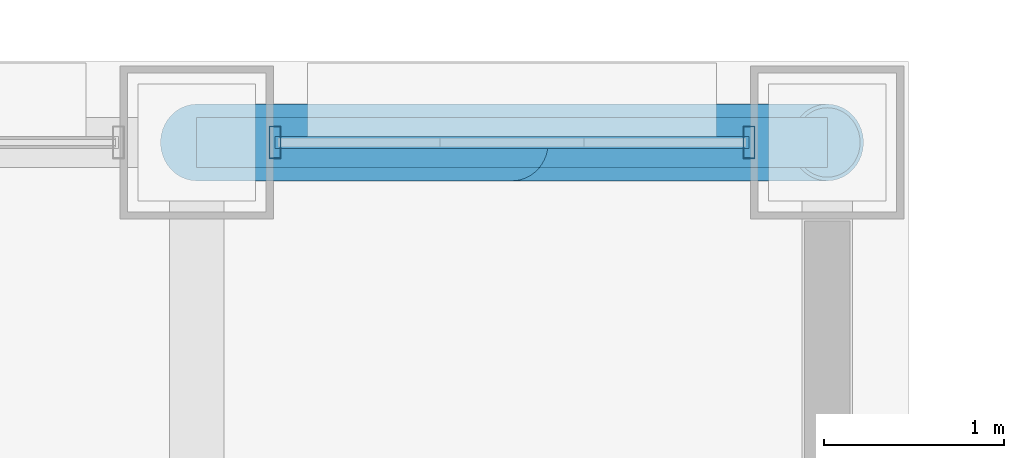
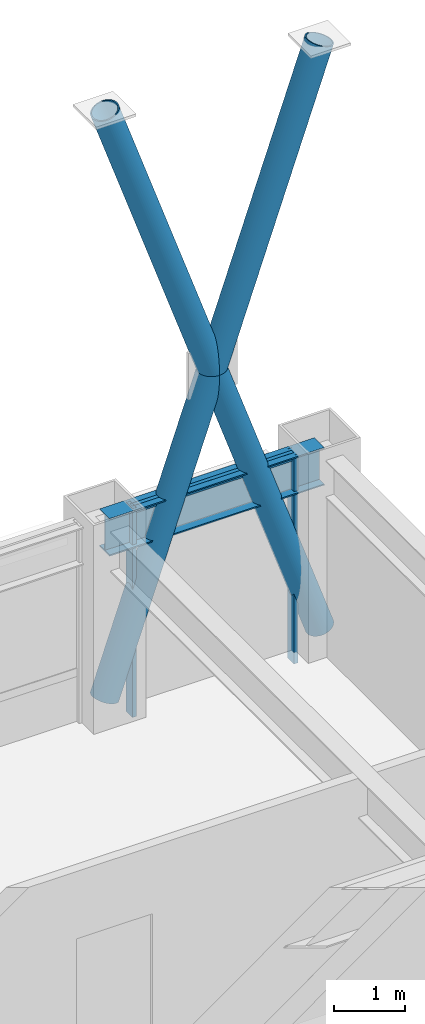
# One storey, part 26 of 34: 6 members, 1 beam, 1 element without a shape of its own.
"""IFC4 building model written with IfcOpenShell, lengths in metres."""

import ifcopenshell
import ifcopenshell.guid

model = None  # the IFC model being written
_history = None  # IfcOwnerHistory: only IFC2X3 demands one
_inside = {}  # id of a spatial element -> (the spatial element, [elements in it])
_under = {}  # id of a project, library or spatial element -> (it, [spatial elements below it])
_declared = {}  # id of a project -> (the project, [libraries it declares])
_typed = {}  # id of a type object -> (the type object, [elements of that type])
_made_of = {}  # id of a material, layer set ... -> (it, [elements and type objects made of it])


def new_model(schema):
    """Start an empty IFC model of exactly this schema.

    Asked for "IFC4X3", IfcOpenShell would pick the latest addendum, in which some entities
    have other attributes; the version numbers below select the first issue.
    IFC2X3 requires an IfcOwnerHistory on every rooted entity: one is made here for all.
    """
    global model, _history
    if schema == "IFC4X3":
        model = ifcopenshell.file(schema_version=(4, 3, 0, 0))
    else:
        model = ifcopenshell.file(schema=schema)
    _inside.clear()
    _under.clear()
    _declared.clear()
    _typed.clear()
    _made_of.clear()
    _history = None
    if model.schema == "IFC2X3":
        org = make("IfcOrganization", Name="unknown")
        user = make(
            "IfcPersonAndOrganization",
            ThePerson=make("IfcPerson", FamilyName="unknown"),
            TheOrganization=org,
        )
        app = make(
            "IfcApplication",
            ApplicationDeveloper=org,
            Version="unknown",
            ApplicationFullName="unknown",
            ApplicationIdentifier="unknown",
        )
        _history = make(
            "IfcOwnerHistory",
            OwningUser=user,
            OwningApplication=app,
            ChangeAction="ADDED",
            CreationDate=0,
        )
    return model


def make(cls, **values):
    """One entity of the class cls with the attributes given. An attribute that is None is left unset."""
    return model.create_entity(
        cls, **{name: value for name, value in values.items() if value is not None}
    )


def rooted(cls, **values):
    """An entity with a GlobalId (a new one), such as an element, a storey or a relation."""
    return make(cls, GlobalId=ifcopenshell.guid.new(), OwnerHistory=_history, **values)


def si_unit(unit_type, name, prefix=None):
    """IfcSIUnit, for example si_unit("LENGTHUNIT", "METRE", prefix="MILLI")."""
    return make("IfcSIUnit", UnitType=unit_type, Prefix=prefix, Name=name)


def assignment(units):
    """IfcUnitAssignment: the units of a project."""
    return None if units is None else make("IfcUnitAssignment", Units=units)


def point(xyz):
    """IfcCartesianPoint."""
    return None if xyz is None else make("IfcCartesianPoint", Coordinates=xyz)


def direction(xyz):
    """IfcDirection."""
    return None if xyz is None else make("IfcDirection", DirectionRatios=xyz)


def frame(location, z_axis=None, x_axis=None):
    """IfcAxis2Placement3D, a coordinate frame: its origin and axes. An axis left out is left unset."""
    return make(
        "IfcAxis2Placement3D",
        Location=point(location),
        Axis=direction(z_axis),
        RefDirection=direction(x_axis),
    )


def frame_2d(location, x_axis=None):
    """IfcAxis2Placement2D, a coordinate frame in the plane: its origin and x axis."""
    return make(
        "IfcAxis2Placement2D", Location=point(location), RefDirection=direction(x_axis)
    )


def origin():
    """The frame at (0, 0, 0) with its axes left unset."""
    return frame((0.0, 0.0, 0.0))


def origin_2d():
    """The frame at (0, 0) in the plane with its x axis left unset."""
    return frame_2d((0.0, 0.0))


def place(relative_to, where):
    """IfcLocalPlacement: puts the frame where relative to a parent placement (None: the world)."""
    return make(
        "IfcLocalPlacement", PlacementRelTo=relative_to, RelativePlacement=where
    )


def context(
    kind, dimensions, precision=None, world=None, true_north=None, identifier=None
):
    """IfcGeometricRepresentationContext, for example the 3D "Model" context."""
    return make(
        "IfcGeometricRepresentationContext",
        ContextIdentifier=identifier,
        ContextType=kind,
        CoordinateSpaceDimension=dimensions,
        Precision=precision,
        WorldCoordinateSystem=world,
        TrueNorth=true_north,
    )


def subcontext(parent, identifier, kind, view, scale=None):
    """IfcGeometricRepresentationSubContext, for example "Body" below "Model"."""
    return make(
        "IfcGeometricRepresentationSubContext",
        ContextIdentifier=identifier,
        ContextType=kind,
        ParentContext=parent,
        TargetScale=scale,
        TargetView=view,
    )


def project(units=None, contexts=None):
    """IfcProject with its units and contexts."""
    return rooted(
        "IfcProject",
        Name="project",
        RepresentationContexts=contexts,
        UnitsInContext=assignment(units),
    )


def spatial(cls, under=None, at=None, **own):
    """A site, building, storey or space (cls), placed at a placement, below another one or the project."""
    s = rooted(cls, ObjectPlacement=at, **own)
    if under is not None:
        _under.setdefault(under.id(), (under, []))[1].append(s)
    return s


def profile(cls, at=None, kind="AREA", **sizes):
    """A parametric profile (cls). Its sizes go by their IFC names, for example OverallWidth=200.0."""
    return make(cls, ProfileType=kind, Position=at, **sizes)


def hollow_rectangle(**sizes):
    """IfcRectangleHollowProfileDef."""
    return profile("IfcRectangleHollowProfileDef", **sizes)


def hollow_circle(**sizes):
    """IfcCircleHollowProfileDef."""
    return profile("IfcCircleHollowProfileDef", **sizes)


def i_section(**sizes):
    """IfcIShapeProfileDef."""
    return profile("IfcIShapeProfileDef", **sizes)


def extrude(swept, where, along, depth):
    """IfcExtrudedAreaSolid: the profile swept, set in the frame where, extruded along a direction by depth."""
    return make(
        "IfcExtrudedAreaSolid",
        SweptArea=swept,
        Position=where,
        ExtrudedDirection=direction(along),
        Depth=depth,
    )


def shape(context_of_items, identifier, shape_type, items):
    """IfcShapeRepresentation: the items that make up one representation, for example the "Body"."""
    return make(
        "IfcShapeRepresentation",
        ContextOfItems=context_of_items,
        RepresentationIdentifier=identifier,
        RepresentationType=shape_type,
        Items=items,
    )


def material(Name=None, Category=None):
    """IfcMaterial."""
    return make("IfcMaterial", Name=Name, Category=Category)


def layer(
    of_material, thickness, ventilated=None, Name=None, Category=None, Priority=None
):
    """IfcMaterialLayer: one layer of a wall or slab, of a material (None: an air gap)."""
    return make(
        "IfcMaterialLayer",
        Material=of_material,
        LayerThickness=thickness,
        IsVentilated=ventilated,
        Name=Name,
        Category=Category,
        Priority=Priority,
    )


def layer_set(layers, Name=None):
    """IfcMaterialLayerSet."""
    return make("IfcMaterialLayerSet", MaterialLayers=layers, LayerSetName=Name)


def material_profile(
    of_material, cross_section, Name=None, Category=None, Priority=None
):
    """IfcMaterialProfile: a cross section and its material."""
    return make(
        "IfcMaterialProfile",
        Name=Name,
        Material=of_material,
        Profile=cross_section,
        Priority=Priority,
        Category=Category,
    )


def profile_set(profiles, Name=None, composite=None):
    """IfcMaterialProfileSet."""
    return make(
        "IfcMaterialProfileSet",
        Name=Name,
        MaterialProfiles=profiles,
        CompositeProfile=composite,
    )


def made_of(thing, what):
    """Note that an element or type object is made of a material, layer set ...; save() writes the relation."""
    if what is not None:
        _made_of.setdefault(what.id(), (what, []))[1].append(thing)
    return thing


def type_object(cls, material=None, **own):
    """A type object (cls), such as IfcWallType, which elements share."""
    return made_of(rooted(cls, **own), material)


def element(
    cls,
    number,
    at=None,
    inside=None,
    cuts=None,
    type_object=None,
    material=None,
    context=None,
    identifier="Body",
    shape_type=None,
    held_by="IfcProductDefinitionShape",
    body=None,
    shapes=None,
    **own,
):
    """One element of the class cls, such as IfcWall. Its Tag is "e" and its number.

    at: its placement. inside: the storey or other place that contains it. cuts: it is an
    opening in that element (IfcRelVoidsElement). A single representation is given by context,
    identifier, shape_type and body (its items); several are given by shapes. held_by: the class
    of the entity that holds the representations. save() writes the other relations.
    """
    e = rooted(cls, Tag="e%d" % number, ObjectPlacement=at, **own)
    if body is not None:
        shapes = [shape(context, identifier, shape_type, body)]
    if shapes is not None:
        e.Representation = make(held_by, Representations=shapes)
    if inside is not None:
        _inside.setdefault(inside.id(), (inside, []))[1].append(e)
    if cuts is not None:
        rooted(
            "IfcRelVoidsElement", RelatingBuildingElement=cuts, RelatedOpeningElement=e
        )
    if type_object is not None:
        _typed.setdefault(type_object.id(), (type_object, []))[1].append(e)
    return made_of(e, material)


def aggregate(whole, parts):
    """IfcRelAggregates: a whole, such as a stair, and the parts it consists of."""
    return rooted("IfcRelAggregates", RelatingObject=whole, RelatedObjects=parts)


def save(model, path):
    """Write the relations noted so far, then the file.

    IfcRelAggregates (storeys below a building ...), IfcRelContainedInSpatialStructure (elements
    in a storey), IfcRelDefinesByType, IfcRelAssociatesMaterial and IfcRelDeclares: one each for
    every whole, place, type object, material and project.
    """
    for whole, parts in _under.values():
        aggregate(whole, parts)
    for where, things in _inside.values():
        rooted(
            "IfcRelContainedInSpatialStructure",
            RelatedElements=things,
            RelatingStructure=where,
        )
    for kind, things in _typed.values():
        rooted("IfcRelDefinesByType", RelatedObjects=things, RelatingType=kind)
    for what, things in _made_of.values():
        rooted("IfcRelAssociatesMaterial", RelatedObjects=things, RelatingMaterial=what)
    for by, libraries in _declared.values():
        rooted("IfcRelDeclares", RelatingContext=by, RelatedDefinitions=libraries)
    model.write(path)


model = new_model("IFC4")

# Units and contexts
model_context = context("Model", 3, precision=1e-05, world=origin(), true_north=direction((0.0, 1.0)))
body_context = subcontext(model_context, "Body", "Model", "MODEL_VIEW")
ifc_project = project(units=[si_unit("LENGTHUNIT", "METRE"), si_unit("AREAUNIT", "SQUARE_METRE"), si_unit("VOLUMEUNIT", "CUBIC_METRE"), si_unit("PLANEANGLEUNIT", "RADIAN"), si_unit("MASSUNIT", "GRAM", prefix="KILO")], contexts=[model_context])

# Site, building, storey
site_placement = place(None, origin())
site = spatial("IfcSite", under=ifc_project, at=site_placement, CompositionType="ELEMENT")
building_placement = place(site_placement, origin())
building = spatial("IfcBuilding", under=site, at=building_placement, Name="Brelmoor Portico Tower", CompositionType="ELEMENT")
storey_placement = place(building_placement, frame((0.0, 0.0, 99.0)))
storey = spatial("IfcBuildingStorey", under=building, at=storey_placement, Name="L25", CompositionType="ELEMENT", Elevation=99.0)

# Beam
ifc_material_1 = material(Name="Steel Q355B", Category="steel")
ifc_material_profile_1 = material_profile(ifc_material_1, i_section(OverallWidth=0.280029296875, OverallDepth=0.64990234375, WebThickness=0.012939453125, FlangeThickness=0.02197265625, at=origin_2d()), Name="HN 650x280x13x22")
ifc_profile_set_1 = profile_set([ifc_material_profile_1], Name="Steel Q355B")
beam_type = type_object("IfcBeamType", Name="BM-SP-650", PredefinedType="SPANDREL", material=ifc_profile_set_1)
beam_placement = place(storey_placement, frame((14.550048828125, 19.550048828125, 3.074951171875), z_axis=(1.0, 0.0, 0.0), x_axis=(0.0, 1.0, 0.0)))
element("IfcBeam", 1, at=beam_placement, inside=storey, type_object=beam_type, Name="L25 Perimeter Spandrel Beam SP-14", PredefinedType="SPANDREL", context=body_context, shape_type="SweptSolid", body=[
    extrude(i_section(OverallWidth=0.280029296875, OverallDepth=0.64990234375, WebThickness=0.012939453125, FlangeThickness=0.02197265625, at=origin_2d()), origin(), (0.0, 0.0, 1.0), 3.5),
])

# Members
ifc_material_profile_2 = material_profile(ifc_material_1, hollow_circle(Radius=0.212890625, WallThickness=0.02001953125, at=origin_2d()), Name="CHS 426x20")
ifc_profile_set_2 = profile_set([ifc_material_profile_2], Name="Steel Q355B")
member_type_1 = type_object("IfcMemberType", Name="MB-BELT-DIAG1", PredefinedType="BRACE", material=ifc_profile_set_2)
member_1_placement = place(storey_placement, frame((14.550048828125, 19.550048828125, 0.25), z_axis=(0.327429033028, 0.0, 0.94487577402), x_axis=(0.0, 1.0, 0.0)))
element("IfcMember", 2, at=member_1_placement, inside=storey, type_object=member_type_1, Name="L25 Continuous Mega-X Brace 053A", PredefinedType="BRACE", context=body_context, shape_type="SweptSolid", body=[
    extrude(hollow_circle(Radius=0.212890625, WallThickness=0.02001953125, at=origin_2d()), origin(), (0.0, 0.0, 1.0), 10.689453125),
])
for number, where, z_axis, x_axis, name in (
    (3, (18.050048828125, 19.550048828125, 0.25), (-0.327429033028, 0.0, 0.94487577402), (0.0, -1.0, 0.0), "L25 Split Mega-X Brace 053B1"),
    (4, (16.300048828125, 19.550048828125, 5.300048828125), (-0.327429033028, 0.0, 0.94487577402), (0.0, -1.0, 0.0), "L25 Split Mega-X Brace 053B2"),
):
    element("IfcMember", number, at=place(storey_placement, frame(where, z_axis=z_axis, x_axis=x_axis)), inside=storey, type_object=member_type_1, Name=name, PredefinedType="BRACE", context=body_context, shape_type="SweptSolid", body=[
        extrude(hollow_circle(Radius=0.212890625, WallThickness=0.02001953125, at=origin_2d()), origin(), (0.0, 0.0, 1.0), 5.3447265625),
    ])

# Curtain wall, members
ifc_material_2 = material(Name="Anodised Aluminium Alloy 6063-T6", Category="aluminium")
ifc_layer = layer(ifc_material_2, 0.179931640625)
ifc_layer_set = layer_set([ifc_layer], Name="Anodised Aluminium Alloy 6063-T6")
curtain_wall_type = type_object("IfcCurtainWallType", Name="CW-TOWER-Z2-XB", PredefinedType="NOTDEFINED", material=ifc_layer_set)
curtain_wall_placement = place(storey_placement, origin())
curtain_wall = element("IfcCurtainWall", 5, at=curtain_wall_placement, inside=storey, type_object=curtain_wall_type, Name="L25 Curtain Wall CW-L25-02-5", PredefinedType="NOTDEFINED")
ifc_material_profile_3 = material_profile(ifc_material_2, hollow_rectangle(XDim=0.06494140625, YDim=0.179931640625, WallThickness=0.00390625, at=origin_2d()), Name="ALU MULLION 65x180")
ifc_profile_set_3 = profile_set([ifc_material_profile_3], Name="Anodised Aluminium Alloy 6063-T6")
member_type_2 = type_object("IfcMemberType", Name="MB-CW-MULL-180", PredefinedType="MULLION", material=ifc_profile_set_3)
member_2_placement = place(storey_placement, frame((14.985107421875, 19.550048828125, -0.199951171875), z_axis=(0.0, 0.0, 1.0), x_axis=(1.0, 0.0, 0.0)))
member_2 = element("IfcMember", 6, at=member_2_placement, type_object=member_type_2, Name="CW-L25-02-5 Mullion 00", PredefinedType="MULLION", context=body_context, shape_type="SweptSolid", body=[
    extrude(hollow_rectangle(XDim=0.06494140625, YDim=0.179931640625, WallThickness=0.00390625, at=origin_2d()), origin(), (0.0, 0.0, 1.0), 3.599853515625),
])
member_3_placement = place(storey_placement, frame((17.614990234375, 19.550048828125, -0.199951171875), z_axis=(0.0, 0.0, 1.0), x_axis=(1.0, 0.0, 0.0)))
member_3 = element("IfcMember", 7, at=member_3_placement, type_object=member_type_2, Name="CW-L25-02-5 Mullion 01", PredefinedType="MULLION", context=body_context, shape_type="SweptSolid", body=[
    extrude(hollow_rectangle(XDim=0.06494140625, YDim=0.179931640625, WallThickness=0.00390625, at=origin_2d()), origin(), (0.0, 0.0, 1.0), 3.599853515625),
])
ifc_material_profile_4 = material_profile(ifc_material_2, hollow_rectangle(XDim=0.06494140625, YDim=0.139892578125, WallThickness=0.00390625, at=origin_2d()), Name="ALU TRANSOM 65x140")
ifc_profile_set_4 = profile_set([ifc_material_profile_4], Name="Anodised Aluminium Alloy 6063-T6")
member_type_3 = type_object("IfcMemberType", Name="MB-CW-TRAN-140", PredefinedType="USERDEFINED", material=ifc_profile_set_4)
member_4_placement = place(storey_placement, frame((14.985107421875, 19.550048828125, 3.330078125), z_axis=(1.0, 0.0, 0.0), x_axis=(0.0, 1.0, 0.0)))
member_4 = element("IfcMember", 8, at=member_4_placement, type_object=member_type_3, Name="CW-L25-02-5 Transom 1-00", ObjectType="TRANSOM", PredefinedType="USERDEFINED", context=body_context, shape_type="SweptSolid", body=[
    extrude(hollow_rectangle(XDim=0.06494140625, YDim=0.139892578125, WallThickness=0.00390625, at=origin_2d()), origin(), (0.0, 0.0, 1.0), 2.6298828125),
])
aggregate(curtain_wall, [member_2, member_3, member_4])

save(model, "model.ifc")
